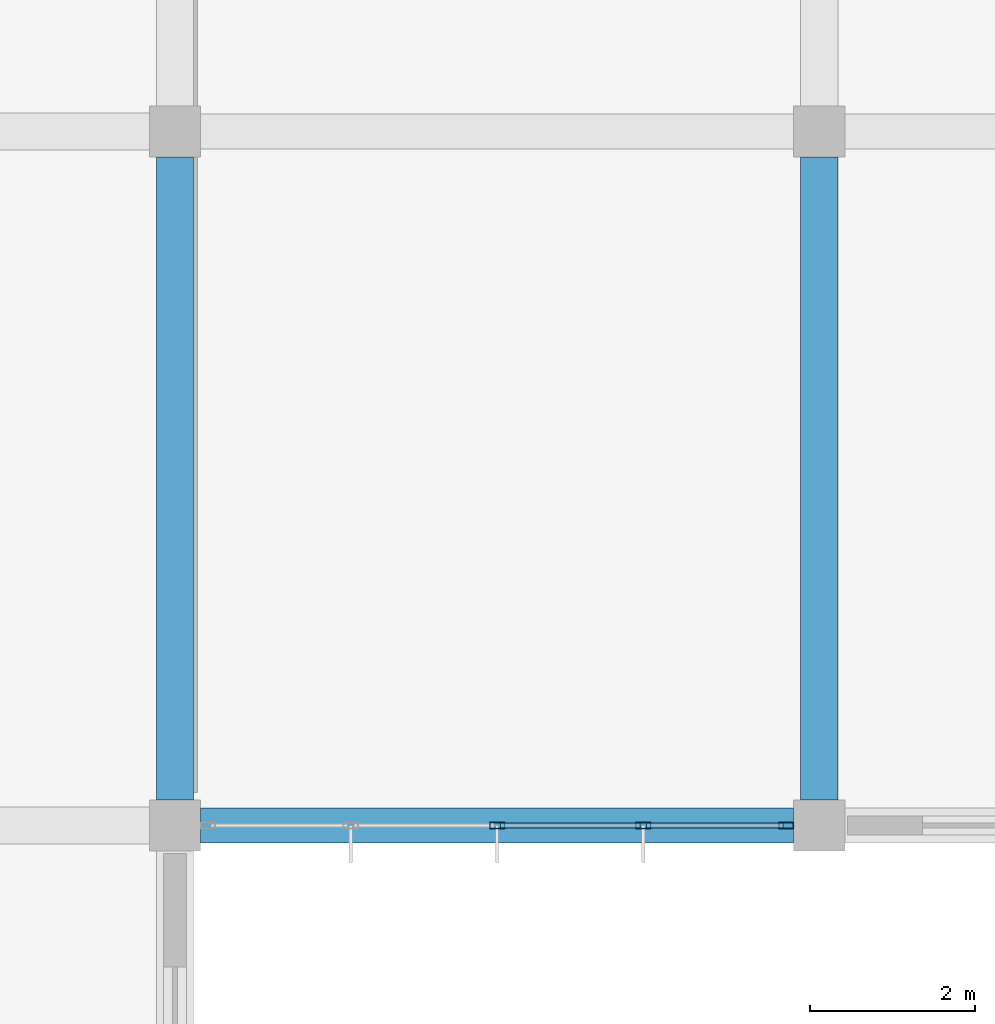
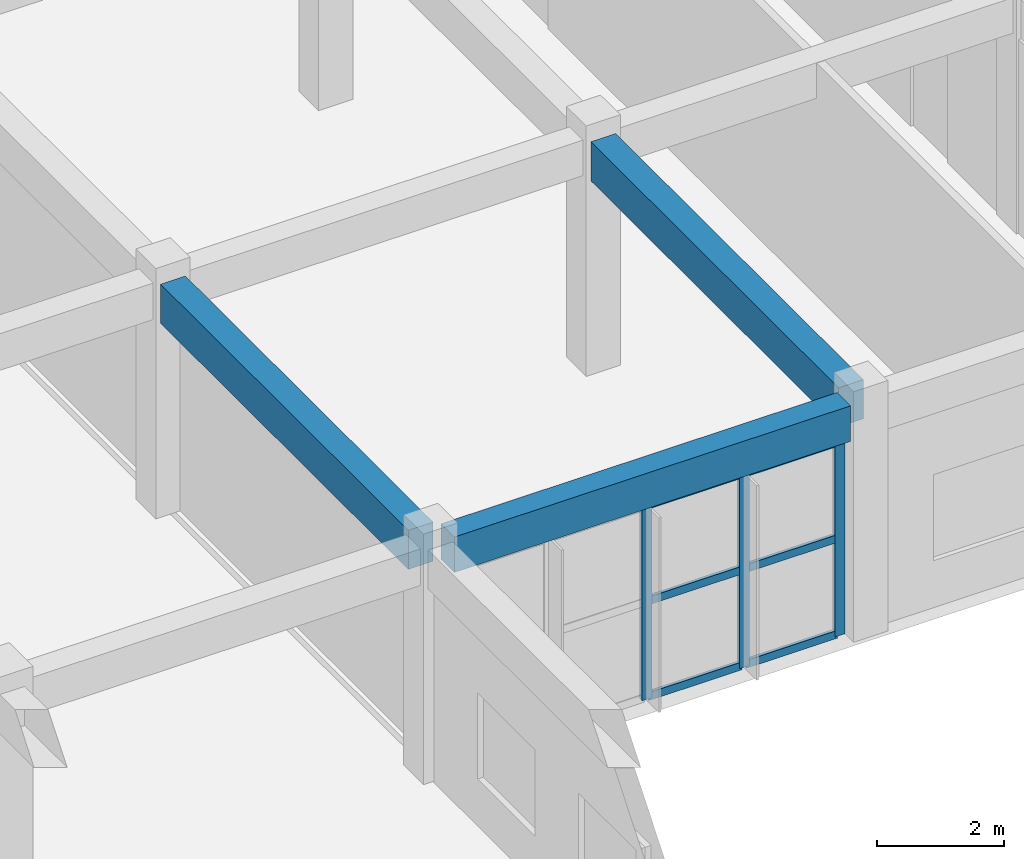
# One storey, part 86 of 167: 9 members, 3 beams, 1 element without a shape of its own.
"""IFC4 building model written with IfcOpenShell, lengths in metres."""

from ifc_helpers import new_model, si_unit, direction, frame, origin, origin_2d, place, context, subcontext, project, spatial, rectangle, hollow_rectangle, extrude, material, layer, layer_set, material_profile, profile_set, type_object, element, aggregate, save


model = new_model("IFC4")

# Units and contexts
model_context = context("Model", 3, precision=1e-05, world=origin(), true_north=direction((0.0, 1.0)))
body_context = subcontext(model_context, "Body", "Model", "MODEL_VIEW")
ifc_project = project(units=[si_unit("LENGTHUNIT", "METRE"), si_unit("AREAUNIT", "SQUARE_METRE"), si_unit("VOLUMEUNIT", "CUBIC_METRE"), si_unit("PLANEANGLEUNIT", "RADIAN"), si_unit("MASSUNIT", "GRAM", prefix="KILO")], contexts=[model_context])

# Site, building, storey
site_placement = place(None, origin())
site = spatial("IfcSite", under=ifc_project, at=site_placement, CompositionType="ELEMENT")
building_placement = place(site_placement, origin())
building = spatial("IfcBuilding", under=site, at=building_placement, Name="Zizhar Promenade General Hospital", CompositionType="ELEMENT")
storey_placement = place(building_placement, frame((0.0, 0.0, 9.60009765625)))
storey = spatial("IfcBuildingStorey", under=building, at=storey_placement, Name="L02", CompositionType="ELEMENT", Elevation=9.60009765625)

# Beams
ifc_material_1 = material(Name="Concrete C35/45", Category="concrete")
ifc_material_profile_1 = material_profile(ifc_material_1, rectangle(XDim=0.419921875, YDim=0.679931640625, at=origin_2d()))
ifc_profile_set_1 = profile_set([ifc_material_profile_1], Name="Concrete C35/45")
beam_type_1 = type_object("IfcBeamType", Name="BM-RC-420x680", PredefinedType="JOIST", material=ifc_profile_set_1)
beam_placement = place(storey_placement, frame((132.909912109375, 42.0, 4.1298828125), z_axis=(1.0, 0.0, 0.0), x_axis=(0.0, 1.0, 0.0)))
element("IfcBeam", 1, at=beam_placement, inside=storey, type_object=beam_type_1, Name="Grid Beam X L02 (17-5)", PredefinedType="JOIST", context=body_context, shape_type="SweptSolid", body=[
    extrude(rectangle(XDim=0.419921875, YDim=0.679931640625, at=origin_2d()), origin(), (0.0, 0.0, 1.0), 7.18017578125),
])
ifc_material_2 = material(Name="Concrete C35/45", Category="concrete")
ifc_material_profile_2 = material_profile(ifc_material_2, rectangle(XDim=0.449951171875, YDim=0.75, at=origin_2d()))
ifc_profile_set_2 = profile_set([ifc_material_profile_2], Name="Concrete C35/45")
beam_type_2 = type_object("IfcBeamType", Name="BM-RC-450x750", PredefinedType="BEAM", material=ifc_profile_set_2)
for number, where, z_axis, x_axis, name in (
    (2, (132.60009765625, 42.31005859375, 4.094970703125), (0.0, 1.0, 0.0), (-1.0, 0.0, 0.0), "Grid Beam Y L02 (17-5)"),
    (3, (140.39990234375, 42.31005859375, 4.094970703125), (0.0, 1.0, 0.0), (-1.0, 0.0, 0.0), "Grid Beam Y L02 (18-5)"),
):
    element("IfcBeam", number, at=place(storey_placement, frame(where, z_axis=z_axis, x_axis=x_axis)), inside=storey, type_object=beam_type_2, Name=name, PredefinedType="BEAM", context=body_context, shape_type="SweptSolid", body=[
        extrude(rectangle(XDim=0.449951171875, YDim=0.75, at=origin_2d()), origin(), (0.0, 0.0, 1.0), 7.780029296875),
    ])

# Curtain wall, members
ifc_material_3 = material(Name="Anodised aluminium 6063-T6 and low-E glass", Category="aluminium")
ifc_layer = layer(ifc_material_3, 0.159912109375)
ifc_layer_set = layer_set([ifc_layer], Name="Anodised aluminium 6063-T6 and low-E glass")
curtain_wall_type = type_object("IfcCurtainWallType", Name="CW-CLN-EXT", PredefinedType="NOTDEFINED", material=ifc_layer_set)
curtain_wall_placement = place(storey_placement, origin())
curtain_wall = element("IfcCurtainWall", 4, at=curtain_wall_placement, inside=storey, type_object=curtain_wall_type, Name="Outpatient Forecourt Curtain Wall L02-17", PredefinedType="NOTDEFINED")
ifc_material_4 = material(Name="Anodised aluminium 6063-T6", Category="aluminium")
ifc_material_profile_3 = material_profile(ifc_material_4, hollow_rectangle(XDim=0.080078125, YDim=0.179931640625, WallThickness=0.0048828125, at=origin_2d()))
ifc_profile_set_3 = profile_set([ifc_material_profile_3], Name="Anodised aluminium 6063-T6")
member_type_1 = type_object("IfcMemberType", Name="CWM-ALU-180x80", PredefinedType="MULLION", material=ifc_profile_set_3)
member_1_placement = place(storey_placement, frame((140.0, 42.0, 0.0), z_axis=(0.0, 0.0, 1.0), x_axis=(0.0, -1.0, 0.0)))
member_1 = element("IfcMember", 5, at=member_1_placement, type_object=member_type_1, Name="CW-09 mullion 1", PredefinedType="MULLION", context=body_context, shape_type="SweptSolid", body=[
    extrude(hollow_rectangle(XDim=0.080078125, YDim=0.179931640625, WallThickness=0.0048828125, at=origin_2d()), origin(), (0.0, 0.0, 1.0), 3.72998046875),
])
member_2_placement = place(storey_placement, frame((138.27001953125, 42.0, 0.0), z_axis=(0.0, 0.0, 1.0), x_axis=(0.0, -1.0, 0.0)))
member_2 = element("IfcMember", 6, at=member_2_placement, type_object=member_type_1, Name="CW-09 mullion 2", PredefinedType="MULLION", context=body_context, shape_type="SweptSolid", body=[
    extrude(hollow_rectangle(XDim=0.080078125, YDim=0.179931640625, WallThickness=0.0048828125, at=origin_2d()), origin(), (0.0, 0.0, 1.0), 3.72998046875),
])
member_3_placement = place(storey_placement, frame((136.5, 42.0, 0.0), z_axis=(0.0, 0.0, 1.0), x_axis=(0.0, -1.0, 0.0)))
member_3 = element("IfcMember", 7, at=member_3_placement, type_object=member_type_1, Name="CW-09 mullion 3", PredefinedType="MULLION", context=body_context, shape_type="SweptSolid", body=[
    extrude(hollow_rectangle(XDim=0.080078125, YDim=0.179931640625, WallThickness=0.0048828125, at=origin_2d()), origin(), (0.0, 0.0, 1.0), 3.72998046875),
])
ifc_material_5 = material(Name="Anodised aluminium 6063-T6", Category="aluminium")
ifc_material_profile_4 = material_profile(ifc_material_5, hollow_rectangle(XDim=0.06005859375, YDim=0.14990234375, WallThickness=0.00390625, at=origin_2d()))
ifc_profile_set_4 = profile_set([ifc_material_profile_4], Name="Anodised aluminium 6063-T6")
member_type_2 = type_object("IfcMemberType", Name="CWT-ALU-150x60", PredefinedType="USERDEFINED", material=ifc_profile_set_4)
member_4_placement = place(storey_placement, frame((139.9599609375, 42.0, 0.02978515625), z_axis=(-1.0, 0.0, 0.0), x_axis=(0.0, -1.0, 0.0)))
member_4 = element("IfcMember", 8, at=member_4_placement, type_object=member_type_2, Name="CW-09 transom 1.1", ObjectType="TRANSOM", PredefinedType="USERDEFINED", context=body_context, shape_type="SweptSolid", body=[
    extrude(hollow_rectangle(XDim=0.06005859375, YDim=0.14990234375, WallThickness=0.00390625, at=origin_2d()), origin(), (0.0, 0.0, 1.0), 1.64990234375),
])
member_5_placement = place(storey_placement, frame((139.9599609375, 42.0, 1.864990234375), z_axis=(-1.0, 0.0, 0.0), x_axis=(0.0, -1.0, 0.0)))
member_5 = element("IfcMember", 9, at=member_5_placement, type_object=member_type_2, Name="CW-09 transom 1.2", ObjectType="TRANSOM", PredefinedType="USERDEFINED", context=body_context, shape_type="SweptSolid", body=[
    extrude(hollow_rectangle(XDim=0.06005859375, YDim=0.14990234375, WallThickness=0.00390625, at=origin_2d()), origin(), (0.0, 0.0, 1.0), 1.64990234375),
])
member_6_placement = place(storey_placement, frame((139.9599609375, 42.0, 3.699951171875), z_axis=(-1.0, 0.0, 0.0), x_axis=(0.0, -1.0, 0.0)))
member_6 = element("IfcMember", 10, at=member_6_placement, type_object=member_type_2, Name="CW-09 transom 1.3", ObjectType="TRANSOM", PredefinedType="USERDEFINED", context=body_context, shape_type="SweptSolid", body=[
    extrude(hollow_rectangle(XDim=0.06005859375, YDim=0.14990234375, WallThickness=0.00390625, at=origin_2d()), origin(), (0.0, 0.0, 1.0), 1.64990234375),
])
member_7_placement = place(storey_placement, frame((138.22998046875, 42.0, 0.02978515625), z_axis=(-1.0, 0.0, 0.0), x_axis=(0.0, -1.0, 0.0)))
member_7 = element("IfcMember", 11, at=member_7_placement, type_object=member_type_2, Name="CW-09 transom 2.1", ObjectType="TRANSOM", PredefinedType="USERDEFINED", context=body_context, shape_type="SweptSolid", body=[
    extrude(hollow_rectangle(XDim=0.06005859375, YDim=0.14990234375, WallThickness=0.00390625, at=origin_2d()), origin(), (0.0, 0.0, 1.0), 1.68994140625),
])
member_8_placement = place(storey_placement, frame((138.22998046875, 42.0, 1.864990234375), z_axis=(-1.0, 0.0, 0.0), x_axis=(0.0, -1.0, 0.0)))
member_8 = element("IfcMember", 12, at=member_8_placement, type_object=member_type_2, Name="CW-09 transom 2.2", ObjectType="TRANSOM", PredefinedType="USERDEFINED", context=body_context, shape_type="SweptSolid", body=[
    extrude(hollow_rectangle(XDim=0.06005859375, YDim=0.14990234375, WallThickness=0.00390625, at=origin_2d()), origin(), (0.0, 0.0, 1.0), 1.68994140625),
])
member_9_placement = place(storey_placement, frame((138.22998046875, 42.0, 3.699951171875), z_axis=(-1.0, 0.0, 0.0), x_axis=(0.0, -1.0, 0.0)))
member_9 = element("IfcMember", 13, at=member_9_placement, type_object=member_type_2, Name="CW-09 transom 2.3", ObjectType="TRANSOM", PredefinedType="USERDEFINED", context=body_context, shape_type="SweptSolid", body=[
    extrude(hollow_rectangle(XDim=0.06005859375, YDim=0.14990234375, WallThickness=0.00390625, at=origin_2d()), origin(), (0.0, 0.0, 1.0), 1.68994140625),
])
aggregate(curtain_wall, [member_1, member_2, member_3, member_4, member_5, member_6, member_7, member_8, member_9])

save(model, "model.ifc")
